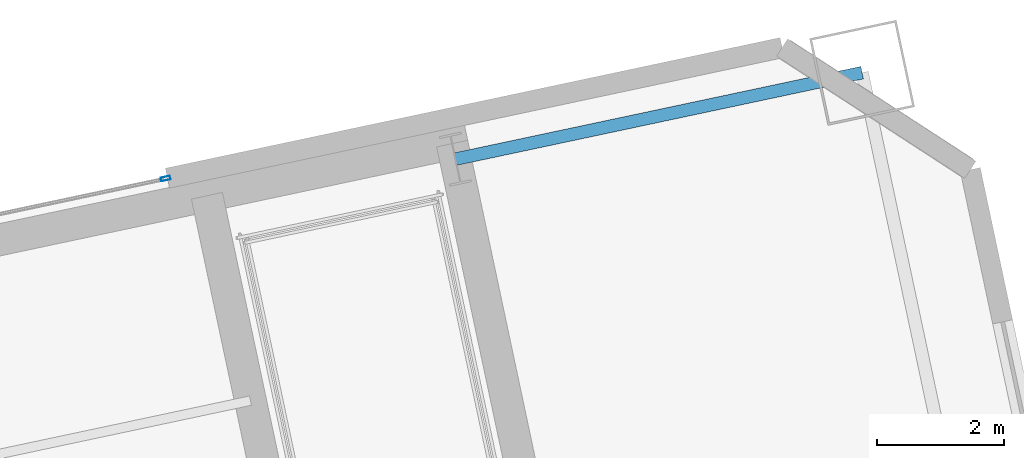
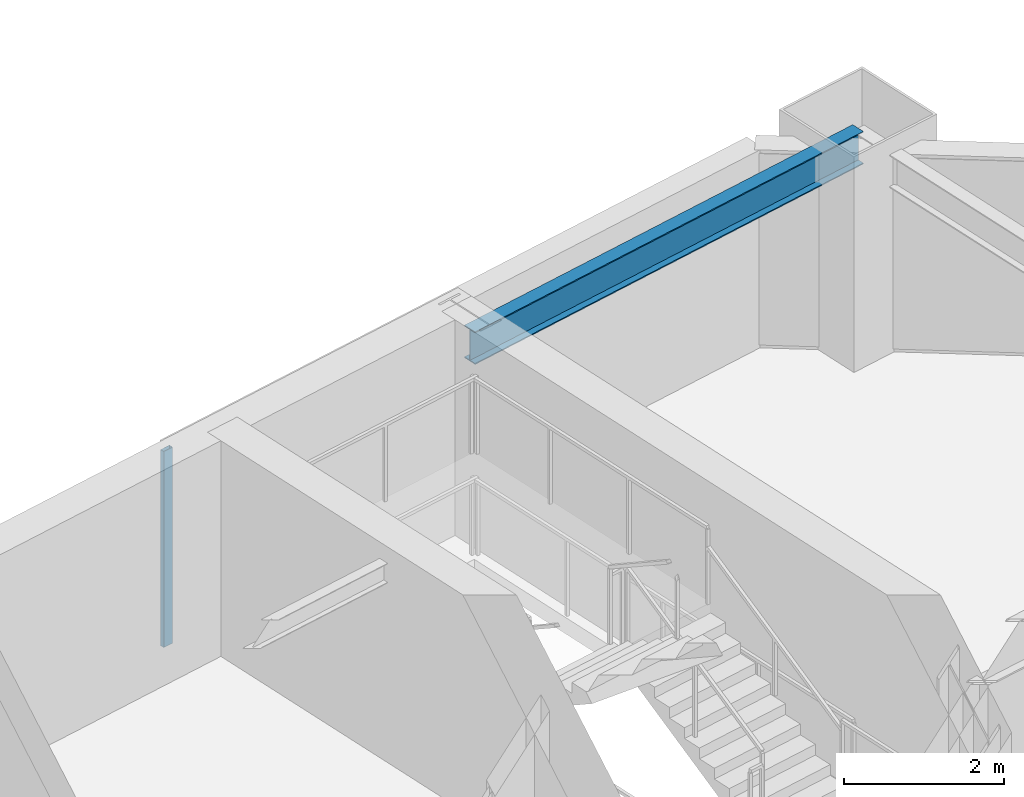
# One storey, part 8 of 22: 1 beam, 1 member, 1 element without a shape of its own.
"""IFC4 building model written with IfcOpenShell, lengths in metres."""

from ifc_helpers import new_model, si_unit, direction, frame, origin, origin_2d, place, context, subcontext, project, spatial, hollow_rectangle, i_section, extrude, material, layer, layer_set, material_profile, profile_set, type_object, element, aggregate, save


model = new_model("IFC4")

# Units and contexts
model_context = context("Model", 3, precision=1e-05, world=origin(), true_north=direction((0.0, 1.0)))
body_context = subcontext(model_context, "Body", "Model", "MODEL_VIEW")
ifc_project = project(units=[si_unit("LENGTHUNIT", "METRE"), si_unit("AREAUNIT", "SQUARE_METRE"), si_unit("VOLUMEUNIT", "CUBIC_METRE"), si_unit("PLANEANGLEUNIT", "RADIAN"), si_unit("MASSUNIT", "GRAM", prefix="KILO")], contexts=[model_context])

# Site, building, storey
site_placement = place(None, origin())
site = spatial("IfcSite", under=ifc_project, at=site_placement, CompositionType="ELEMENT")
building_placement = place(site_placement, origin())
building = spatial("IfcBuilding", under=site, at=building_placement, Name="Haevon Station Towers", CompositionType="ELEMENT")
storey_placement = place(building_placement, frame((0.0, 0.0, 113.10009765625)))
storey = spatial("IfcBuildingStorey", under=building, at=storey_placement, Name="L30", CompositionType="ELEMENT", Elevation=113.10009765625)

# Beam
ifc_material_1 = material(Name="Steel S355", Category="steel")
ifc_material_profile_1 = material_profile(ifc_material_1, i_section(OverallWidth=0.199951171875, OverallDepth=0.5, WebThickness=0.010009765625, FlangeThickness=0.01611328125, at=origin_2d()), Name="H-500x200x10x16")
ifc_profile_set_1 = profile_set([ifc_material_profile_1], Name="Steel S355")
beam_type = type_object("IfcBeamType", Name="BM-SP500", PredefinedType="SPANDREL", material=ifc_profile_set_1)
beam_placement = place(storey_placement, frame((117.349365234375, 50.954345703125, 2.7998046875), z_axis=(0.978148524343, 0.207907345532, 0.0), x_axis=(-0.207907345532, 0.978148524343, 0.0)))
element("IfcBeam", 1, at=beam_placement, inside=storey, type_object=beam_type, Name="BM-T2U-L30-04-04", PredefinedType="SPANDREL", context=body_context, shape_type="SweptSolid", body=[
    extrude(i_section(OverallWidth=0.199951171875, OverallDepth=0.5, WebThickness=0.010009765625, FlangeThickness=0.01611328125, at=origin_2d()), origin(), (0.0, 0.0, 1.0), 6.550048828125),
])

# Curtain wall, member
ifc_material_2 = material(Name="Anodised aluminium and Low-E double glazing", Category="aluminium")
ifc_layer = layer(ifc_material_2, 0.179931640625)
ifc_layer_set = layer_set([ifc_layer], Name="Anodised aluminium and Low-E double glazing")
curtain_wall_type = type_object("IfcCurtainWallType", Name="CW-SYS5", PredefinedType="NOTDEFINED", material=ifc_layer_set)
curtain_wall_placement = place(storey_placement, origin())
curtain_wall = element("IfcCurtainWall", 2, at=curtain_wall_placement, inside=storey, type_object=curtain_wall_type, Name="L30 Curtain Wall CW-T2-L30-N", PredefinedType="NOTDEFINED")
ifc_material_3 = material(Name="Anodised aluminium 6063-T6", Category="aluminium")
ifc_material_profile_2 = material_profile(ifc_material_3, hollow_rectangle(XDim=0.06005859375, YDim=0.14990234375, WallThickness=0.00341796875, at=origin_2d()), Name="CWM-150x60x3.5")
ifc_profile_set_2 = profile_set([ifc_material_profile_2], Name="Anodised aluminium 6063-T6")
member_type = type_object("IfcMemberType", Name="CWM-150", PredefinedType="MULLION", material=ifc_profile_set_2)
member_placement = place(storey_placement, frame((112.783203125, 50.648193359375, 0.0), z_axis=(0.0, 0.0, 1.0), x_axis=(-0.207911783211, 0.978147581095, 0.0)))
member = element("IfcMember", 3, at=member_placement, type_object=member_type, Name="CW-SYS5 mullion 3", PredefinedType="MULLION", context=body_context, shape_type="SweptSolid", body=[
    extrude(hollow_rectangle(XDim=0.06005859375, YDim=0.14990234375, WallThickness=0.00341796875, at=origin_2d()), origin(), (0.0, 0.0, 1.0), 3.0),
])
aggregate(curtain_wall, [member])

save(model, "model.ifc")
